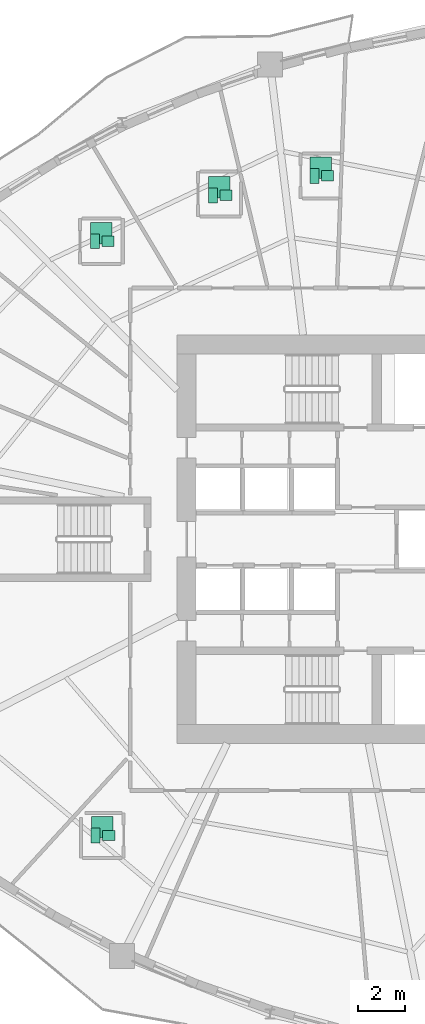
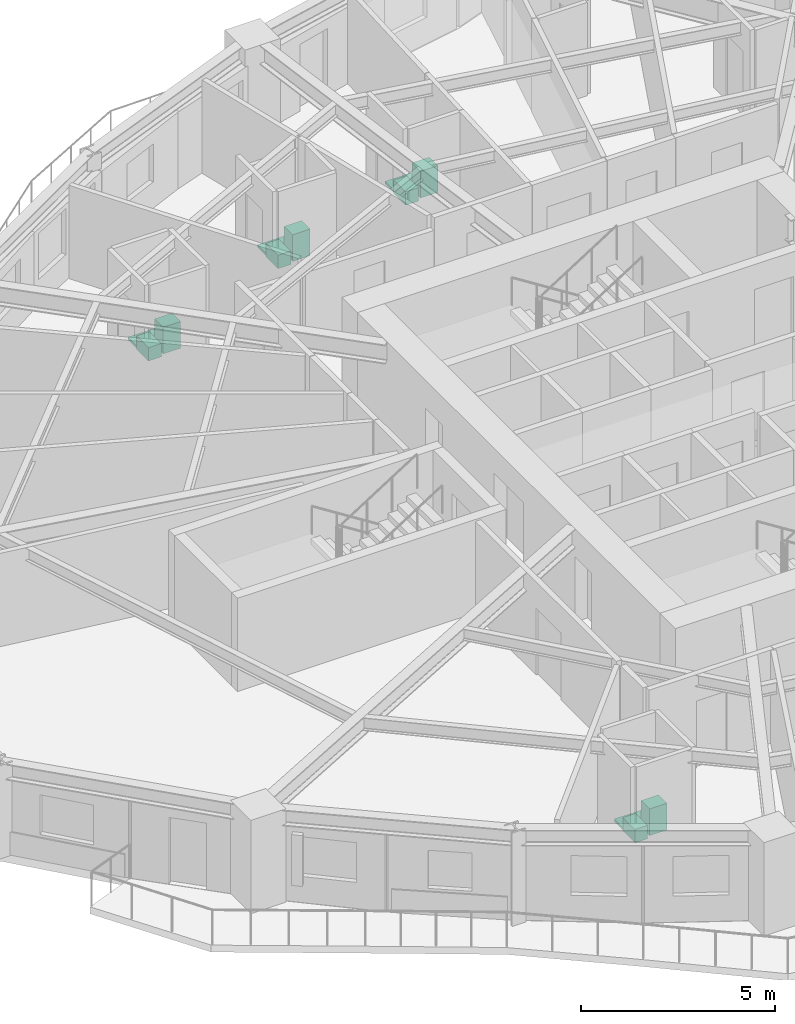
# One storey, part 18 of 18: 12 sanitary terminals.
"""IFC4 building model written with IfcOpenShell, lengths in metres."""

from ifc_helpers import new_model, si_unit, direction, frame, origin, origin_2d, place, context, subcontext, project, spatial, rectangle, extrude, source, transform, mapped, material, type_object, element, save


model = new_model("IFC4")

# Units and contexts
model_context = context("Model", 3, precision=1e-05, world=origin(), true_north=direction((0.0, 1.0)))
body_context = subcontext(model_context, "Body", "Model", "MODEL_VIEW")
ifc_project = project(units=[si_unit("LENGTHUNIT", "METRE"), si_unit("AREAUNIT", "SQUARE_METRE"), si_unit("VOLUMEUNIT", "CUBIC_METRE"), si_unit("PLANEANGLEUNIT", "RADIAN"), si_unit("MASSUNIT", "GRAM", prefix="KILO")], contexts=[model_context])

# Site, building, storey
site_placement = place(None, origin())
site = spatial("IfcSite", under=ifc_project, at=site_placement, CompositionType="ELEMENT")
building_placement = place(site_placement, origin())
building = spatial("IfcBuilding", under=site, at=building_placement, Name="Qafzar Sky-Pleat Residences", CompositionType="ELEMENT")
storey_placement = place(building_placement, frame((0.0, 0.0, 27.0)))
storey = spatial("IfcBuildingStorey", under=building, at=storey_placement, Name="L07", CompositionType="ELEMENT", Elevation=27.0)

# Sanitary terminals
ifc_material_1 = material(Name="Vitreous china sanitaryware")
sanitary_terminal_type_1 = type_object("IfcSanitaryTerminalType", Name="SAN-WC-PAN", PredefinedType="TOILETPAN", material=ifc_material_1)
shared_shape_1 = source(origin(), body_context, "Body", "SweptSolid", [
    extrude(rectangle(XDim=0.3798828125, YDim=0.6201171875, at=origin_2d()), origin(), (0.0, 0.0, 1.0), 0.419921875),
])
for number, where, z_axis, x_axis, name in (
    (1, (29.77294921875, 41.297119140625, 0.0), (0.0, 0.0, 1.0), (1.0, 0.0, 0.0), "L07 En-suite Bathroom 1 WC Pan"),
    (2, (25.4990234375, 40.4736328125, 0.0), (0.0, 0.0, 1.0), (1.0, 0.0, 0.0), "L07 En-suite Bathroom 2 WC Pan"),
    (3, (20.530029296875, 38.544921875, 0.0), (0.0, 0.0, 1.0), (1.0, 0.0, 0.0), "L07 En-suite Bathroom 3 WC Pan"),
    (4, (20.56396484375, 13.52294921875, 0.0), (0.0, 0.0, 1.0), (1.0, 0.0, 0.0), "L07 En-suite Bathroom 6 WC Pan"),
):
    element("IfcSanitaryTerminal", number, at=place(storey_placement, frame(where, z_axis=z_axis, x_axis=x_axis)), inside=storey, type_object=sanitary_terminal_type_1, Name=name, PredefinedType="TOILETPAN", context=body_context, shape_type="MappedRepresentation", body=[
        mapped(shared_shape_1, transform((0.0, 0.0, 0.0), x_axis=(1.0, 0.0, 0.0), y_axis=(0.0, 1.0, 0.0), z_axis=(0.0, 0.0, 1.0), scale=1.0)),
    ])
sanitary_terminal_type_2 = type_object("IfcSanitaryTerminalType", Name="SAN-BASIN", PredefinedType="WASHHANDBASIN", material=ifc_material_1)
shared_shape_2 = source(origin(), body_context, "Body", "SweptSolid", [
    extrude(rectangle(XDim=0.52001953125, YDim=0.43994140625, at=origin_2d()), origin(), (0.0, 0.0, 1.0), 0.840087890625),
])
for number, where, z_axis, x_axis, name in (
    (5, (30.3330078125, 41.297119140625, 0.0), (0.0, 0.0, 1.0), (1.0, 0.0, 0.0), "L07 En-suite Bathroom 1 Pedestal Washbasin"),
    (6, (26.05908203125, 40.4736328125, 0.0), (0.0, 0.0, 1.0), (1.0, 0.0, 0.0), "L07 En-suite Bathroom 2 Pedestal Washbasin"),
    (7, (21.090087890625, 38.544921875, 0.0), (0.0, 0.0, 1.0), (1.0, 0.0, 0.0), "L07 En-suite Bathroom 3 Pedestal Washbasin"),
    (8, (21.1240234375, 13.52294921875, 0.0), (0.0, 0.0, 1.0), (1.0, 0.0, 0.0), "L07 En-suite Bathroom 6 Pedestal Washbasin"),
):
    element("IfcSanitaryTerminal", number, at=place(storey_placement, frame(where, z_axis=z_axis, x_axis=x_axis)), inside=storey, type_object=sanitary_terminal_type_2, Name=name, PredefinedType="WASHHANDBASIN", context=body_context, shape_type="MappedRepresentation", body=[
        mapped(shared_shape_2, transform((0.0, 0.0, 0.0), x_axis=(1.0, 0.0, 0.0), y_axis=(0.0, 1.0, 0.0), z_axis=(0.0, 0.0, 1.0), scale=1.0)),
    ])
ifc_material_2 = material(Name="Vitreous china and acrylic tray")
sanitary_terminal_type_3 = type_object("IfcSanitaryTerminalType", Name="SAN-SHOWER", PredefinedType="SHOWER", material=ifc_material_2)
shared_shape_3 = source(origin(), body_context, "Body", "SweptSolid", [
    extrude(rectangle(XDim=0.89990234375, YDim=0.89990234375, at=origin_2d()), origin(), (0.0, 0.0, 1.0), 0.080078125),
])
for number, where, z_axis, x_axis, name in (
    (9, (30.052978515625, 41.636962890625, 0.0), (0.0, 0.0, 1.0), (1.0, 0.0, 0.0), "L07 En-suite Bathroom 1 Walk-In Shower"),
    (10, (25.779052734375, 40.813720703125, 0.0), (0.0, 0.0, 1.0), (1.0, 0.0, 0.0), "L07 En-suite Bathroom 2 Walk-In Shower"),
    (11, (20.81005859375, 38.885009765625, 0.0), (0.0, 0.0, 1.0), (1.0, 0.0, 0.0), "L07 En-suite Bathroom 3 Walk-In Shower"),
    (12, (20.843994140625, 13.863037109375, 0.0), (0.0, 0.0, 1.0), (1.0, 0.0, 0.0), "L07 En-suite Bathroom 6 Walk-In Shower"),
):
    element("IfcSanitaryTerminal", number, at=place(storey_placement, frame(where, z_axis=z_axis, x_axis=x_axis)), inside=storey, type_object=sanitary_terminal_type_3, Name=name, PredefinedType="SHOWER", context=body_context, shape_type="MappedRepresentation", body=[
        mapped(shared_shape_3, transform((0.0, 0.0, 0.0), x_axis=(1.0, 0.0, 0.0), y_axis=(0.0, 1.0, 0.0), z_axis=(0.0, 0.0, 1.0), scale=1.0)),
    ])

save(model, "model.ifc")
